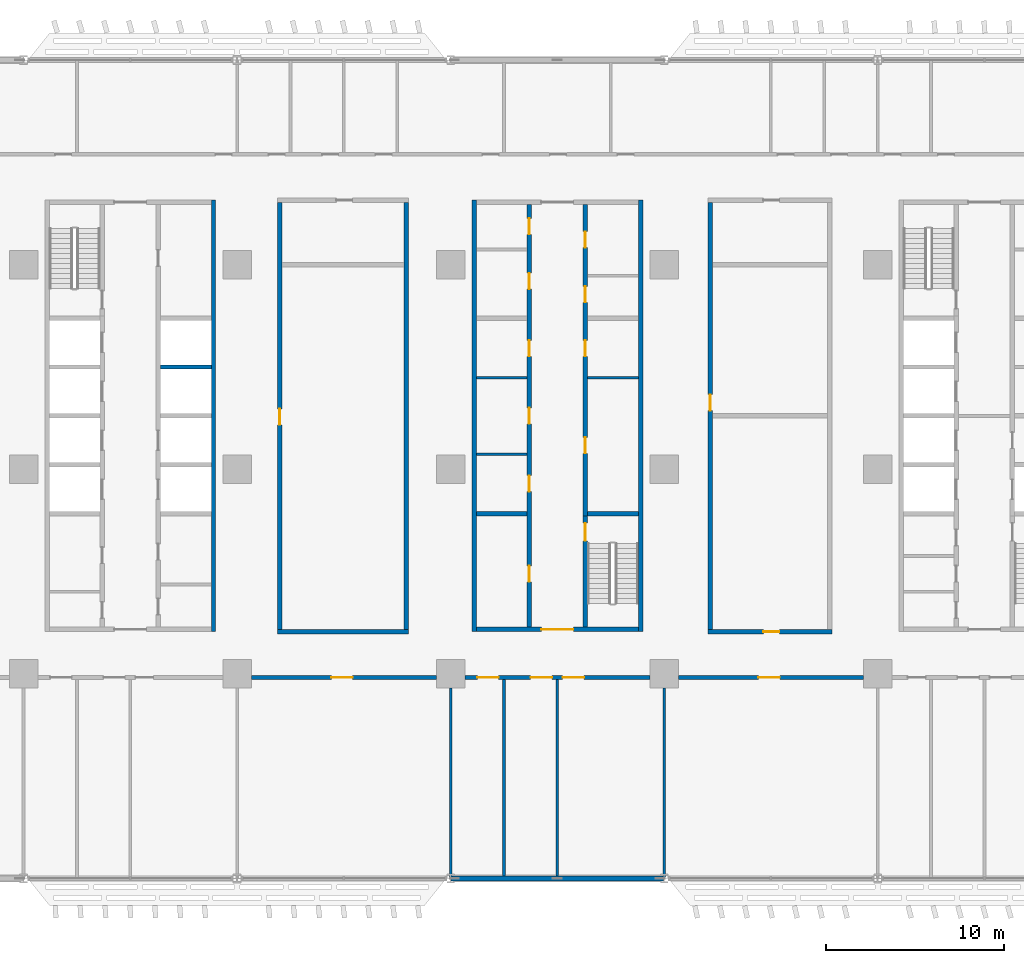
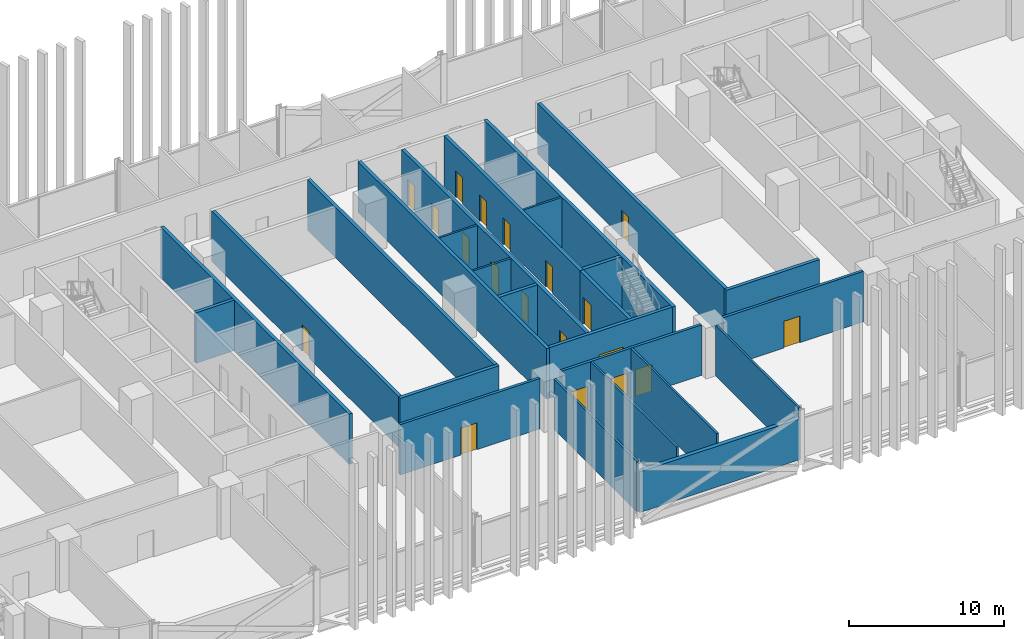
# One storey, part 11 of 29: 26 walls, 20 doors, 20 openings.
"""IFC4 building model written with IfcOpenShell, lengths in metres."""

from ifc_helpers import new_model, si_unit, direction, frame, frame_2d, origin, place, context, subcontext, project, spatial, rectangle, extrude, material, layer, layer_set, type_object, element, fill, save


model = new_model("IFC4")

# Units and contexts
model_context = context("Model", 3, precision=1e-05, world=origin(), true_north=direction((0.0, 1.0)))
body_context = subcontext(model_context, "Body", "Model", "MODEL_VIEW")
ifc_project = project(units=[si_unit("LENGTHUNIT", "METRE"), si_unit("AREAUNIT", "SQUARE_METRE"), si_unit("VOLUMEUNIT", "CUBIC_METRE"), si_unit("PLANEANGLEUNIT", "RADIAN"), si_unit("MASSUNIT", "GRAM", prefix="KILO")], contexts=[model_context])

# Site, building, storey
site_placement = place(None, origin())
site = spatial("IfcSite", under=ifc_project, at=site_placement, CompositionType="ELEMENT")
building_placement = place(site_placement, origin())
building = spatial("IfcBuilding", under=site, at=building_placement, Name="Mahtab Terrace Research Tower", CompositionType="ELEMENT")
storey_placement = place(building_placement, frame((0.0, 0.0, 24.39990234375)))
storey = spatial("IfcBuildingStorey", under=building, at=storey_placement, Name="L05", CompositionType="ELEMENT", Elevation=24.39990234375)

# Walls
ifc_material_1 = material(Name="Gypsum board partition")
ifc_layer_1 = layer(ifc_material_1, 0.14990234375)
ifc_layer_set_1 = layer_set([ifc_layer_1], Name="Core partition 150")
wall_type_1 = type_object("IfcWallType", Name="Core partition 150", PredefinedType="PARTITIONING", material=ifc_layer_set_1)
for number, where, z_axis, x_axis, name in (
    (1, (-4.550048828125, 0.85009765625, 0.0), (0.0, 0.0, 1.0), (1.0, 0.0, 0.0), "Core wall B pWL-215"),
    (2, (-4.550048828125, 5.14990234375, 0.0), (0.0, 0.0, 1.0), (1.0, 0.0, 0.0), "Core wall B pWL215"),
    (3, (1.699951171875, 5.14990234375, 0.0), (0.0, 0.0, 1.0), (1.0, 0.0, 0.0), "Core wall B pEL215"),
):
    element("IfcWall", number, at=place(storey_placement, frame(where, z_axis=z_axis, x_axis=x_axis)), inside=storey, type_object=wall_type_1, Name=name, PredefinedType="PARTITIONING", context=body_context, shape_type="SweptSolid", body=[
        extrude(rectangle(XDim=2.85009765625, YDim=0.14990234375, at=frame_2d((1.425048828125, 0.0))), origin(), (0.0, 0.0, 1.0), 3.960205078125),
    ])
ifc_material_2 = material(Name="Concrete C70/85", Category="concrete")
ifc_layer_2 = layer(ifc_material_2, 0.25)
ifc_layer_set_2 = layer_set([ifc_layer_2], Name="Core wall 250")
wall_type_2 = type_object("IfcWallType", Name="Core wall 250", PredefinedType="SOLIDWALL", material=ifc_layer_set_2)
wall_1_placement = place(storey_placement, frame((-19.324951171875, -9.125, 0.0), z_axis=(0.0, 0.0, 1.0), x_axis=(0.0, 1.0, 0.0)))
element("IfcWall", 4, at=wall_1_placement, inside=storey, type_object=wall_type_2, Name="Core wall A outerE", PredefinedType="SOLIDWALL", context=body_context, shape_type="SweptSolid", body=[
    extrude(rectangle(XDim=24.25, YDim=0.25, at=frame_2d((12.125, 0.0))), origin(), (0.0, 0.0, 1.0), 3.960205078125),
])
wall_2_placement = place(storey_placement, frame((-22.300048828125, 5.75, 0.0), z_axis=(0.0, 0.0, 1.0), x_axis=(1.0, 0.0, 0.0)))
element("IfcWall", 5, at=wall_2_placement, inside=storey, type_object=wall_type_2, Name="Core wall A divE3", PredefinedType="SOLIDWALL", context=body_context, shape_type="SweptSolid", body=[
    extrude(rectangle(XDim=2.85009765625, YDim=0.25, at=frame_2d((1.425048828125, 0.0))), origin(), (0.0, 0.0, 1.0), 3.960205078125),
])
for number, where, z_axis, x_axis, name in (
    (6, (-4.675048828125, 15.125, 0.0), (0.0, 0.0, 1.0), (0.0, -1.0, 0.0), "Core wall B outerW"),
    (7, (4.675048828125, -9.125, 0.0), (0.0, 0.0, 1.0), (0.0, 1.0, 0.0), "Core wall B outerE"),
):
    element("IfcWall", number, at=place(storey_placement, frame(where, z_axis=z_axis, x_axis=x_axis)), inside=storey, type_object=wall_type_2, Name=name, PredefinedType="SOLIDWALL", context=body_context, shape_type="SweptSolid", body=[
        extrude(rectangle(XDim=24.25, YDim=0.25, at=frame_2d((12.125, 0.0))), origin(), (0.0, 0.0, 1.0), 3.960205078125),
    ])

# Wall, opening, door
wall_3_placement = place(storey_placement, frame((4.550048828125, -9.0, 0.0), z_axis=(0.0, 0.0, 1.0), x_axis=(-1.0, 0.0, 0.0)))
wall_3 = element("IfcWall", 8, at=wall_3_placement, inside=storey, type_object=wall_type_2, Name="Core wall B endS", PredefinedType="SOLIDWALL", context=body_context, shape_type="SweptSolid", body=[
    extrude(rectangle(XDim=9.10009765625, YDim=0.25, at=frame_2d((4.550048828125, 0.0))), origin(), (0.0, 0.0, 1.0), 3.960205078125),
])
opening_1_placement = place(wall_3_placement, frame((3.64990234375, 0.0, 0.0)))
opening_1 = element("IfcOpeningElement", 9, at=opening_1_placement, cuts=wall_3, Name="Opening B-S1", PredefinedType="OPENING", context=body_context, shape_type="SweptSolid", body=[
    extrude(rectangle(XDim=1.800048828125, YDim=2.10009765625, at=frame_2d((0.89990234375, 1.050048828125))), frame((0.0, 0.135009765625, 0.0), z_axis=(0.0, -1.0, 0.0), x_axis=(1.0, 0.0, 0.0)), (0.0, 0.0, 1.0), 0.27001953125),
])
ifc_material_3 = material(Name="Steel fire door", Category="steel")
door_type_1 = type_object("IfcDoorType", Name="Lobby double door 1800x2100 1 HR", OperationType="DOUBLE_DOOR_SINGLE_SWING", PredefinedType="DOOR", material=ifc_material_3)
door_1_placement = place(opening_1_placement, origin())
door_1 = element("IfcDoor", 10, at=door_1_placement, inside=storey, type_object=door_type_1, Name="Core entrance door B S", OperationType="DOUBLE_DOOR_SINGLE_SWING", OverallHeight=2.10009765625, OverallWidth=1.800048828125, PredefinedType="DOOR", context=body_context, shape_type="SweptSolid", body=[
    extrude(rectangle(XDim=1.800048828125, YDim=2.10009765625, at=frame_2d((0.89990234375, 1.050048828125))), frame((0.0, 0.02490234375, 0.0), z_axis=(0.0, -1.0, 0.0), x_axis=(1.0, 0.0, 0.0)), (0.0, 0.0, 1.0), 0.050048828125),
])
fill(opening_1, door_1)

# Wall, openings, doors
wall_4_placement = place(storey_placement, frame((-1.574951171875, -8.875, 0.0), z_axis=(0.0, 0.0, 1.0), x_axis=(0.0, 1.0, 0.0)))
wall_4 = element("IfcWall", 11, at=wall_4_placement, inside=storey, type_object=wall_type_2, Name="Core wall B innerWSLN", PredefinedType="SOLIDWALL", context=body_context, shape_type="SweptSolid", body=[
    extrude(rectangle(XDim=23.75, YDim=0.25, at=frame_2d((11.875, 0.0))), origin(), (0.0, 0.0, 1.0), 3.960205078125),
])
opening_2_placement = place(wall_4_placement, frame((7.625, 0.0, 0.0)))
opening_2 = element("IfcOpeningElement", 12, at=opening_2_placement, cuts=wall_4, Name="Opening B-R1", PredefinedType="OPENING", context=body_context, shape_type="SweptSolid", body=[
    extrude(rectangle(XDim=0.89990234375, YDim=2.10009765625, at=frame_2d((0.449951171875, 1.050048828125))), frame((0.0, 0.135009765625, 0.0), z_axis=(0.0, -1.0, 0.0), x_axis=(1.0, 0.0, 0.0)), (0.0, 0.0, 1.0), 0.27001953125),
])
opening_3_placement = place(wall_4_placement, frame((11.425048828125, 0.0, 0.0)))
opening_3 = element("IfcOpeningElement", 13, at=opening_3_placement, cuts=wall_4, Name="Opening B-R2", PredefinedType="OPENING", context=body_context, shape_type="SweptSolid", body=[
    extrude(rectangle(XDim=0.89990234375, YDim=2.10009765625, at=frame_2d((0.449951171875, 1.050048828125))), frame((0.0, 0.135009765625, 0.0), z_axis=(0.0, -1.0, 0.0), x_axis=(1.0, 0.0, 0.0)), (0.0, 0.0, 1.0), 0.27001953125),
])
opening_4_placement = place(wall_4_placement, frame((15.22509765625, 0.0, 0.0)))
opening_4 = element("IfcOpeningElement", 14, at=opening_4_placement, cuts=wall_4, Name="Opening B-R3", PredefinedType="OPENING", context=body_context, shape_type="SweptSolid", body=[
    extrude(rectangle(XDim=0.89990234375, YDim=2.10009765625, at=frame_2d((0.449951171875, 1.050048828125))), frame((0.0, 0.135009765625, 0.0), z_axis=(0.0, -1.0, 0.0), x_axis=(1.0, 0.0, 0.0)), (0.0, 0.0, 1.0), 0.27001953125),
])
opening_5_placement = place(wall_4_placement, frame((2.550048828125, 0.0, 0.0)))
opening_5 = element("IfcOpeningElement", 15, at=opening_5_placement, cuts=wall_4, Name="Opening B-R6", PredefinedType="OPENING", context=body_context, shape_type="SweptSolid", body=[
    extrude(rectangle(XDim=0.89990234375, YDim=2.10009765625, at=frame_2d((0.449951171875, 1.050048828125))), frame((0.0, 0.135009765625, 0.0), z_axis=(0.0, -1.0, 0.0), x_axis=(1.0, 0.0, 0.0)), (0.0, 0.0, 1.0), 0.27001953125),
])
opening_6_placement = place(wall_4_placement, frame((19.00244140625, 0.0, 0.0)))
opening_6 = element("IfcOpeningElement", 16, at=opening_6_placement, cuts=wall_4, Name="Opening B-R7", PredefinedType="OPENING", context=body_context, shape_type="SweptSolid", body=[
    extrude(rectangle(XDim=0.89990234375, YDim=2.10009765625, at=frame_2d((0.449951171875, 1.050048828125))), frame((0.0, 0.135009765625, 0.0), z_axis=(0.0, -1.0, 0.0), x_axis=(1.0, 0.0, 0.0)), (0.0, 0.0, 1.0), 0.27001953125),
])
opening_7_placement = place(wall_4_placement, frame((22.077392578125, 0.0, 0.0)))
opening_7 = element("IfcOpeningElement", 17, at=opening_7_placement, cuts=wall_4, Name="Opening B-R8", PredefinedType="OPENING", context=body_context, shape_type="SweptSolid", body=[
    extrude(rectangle(XDim=0.89990234375, YDim=2.10009765625, at=frame_2d((0.449951171875, 1.050048828125))), frame((0.0, 0.135009765625, 0.0), z_axis=(0.0, -1.0, 0.0), x_axis=(1.0, 0.0, 0.0)), (0.0, 0.0, 1.0), 0.27001953125),
])
door_type_2 = type_object("IfcDoorType", Name="Room door 900x2100 1 HR", OperationType="NOTDEFINED", PredefinedType="DOOR", material=ifc_material_3)
door_2_placement = place(opening_2_placement, origin())
door_2 = element("IfcDoor", 18, at=door_2_placement, inside=storey, type_object=door_type_2, Name="Electrical room door", OperationType="SINGLE_SWING_LEFT", OverallHeight=2.10009765625, OverallWidth=0.89990234375, PredefinedType="DOOR", context=body_context, shape_type="SweptSolid", body=[
    extrude(rectangle(XDim=0.89990234375, YDim=2.10009765625, at=frame_2d((0.449951171875, 1.050048828125))), frame((0.0, 0.02490234375, 0.0), z_axis=(0.0, -1.0, 0.0), x_axis=(1.0, 0.0, 0.0)), (0.0, 0.0, 1.0), 0.050048828125),
])
fill(opening_2, door_2)
door_3_placement = place(opening_3_placement, origin())
door_3 = element("IfcDoor", 19, at=door_3_placement, inside=storey, type_object=door_type_2, Name="Pantry door", OperationType="SINGLE_SWING_RIGHT", OverallHeight=2.10009765625, OverallWidth=0.89990234375, PredefinedType="DOOR", context=body_context, shape_type="SweptSolid", body=[
    extrude(rectangle(XDim=0.89990234375, YDim=2.10009765625, at=frame_2d((0.449951171875, 1.050048828125))), frame((0.0, 0.02490234375, 0.0), z_axis=(0.0, -1.0, 0.0), x_axis=(1.0, 0.0, 0.0)), (0.0, 0.0, 1.0), 0.050048828125),
])
fill(opening_3, door_3)
door_4_placement = place(opening_4_placement, origin())
door_4 = element("IfcDoor", 20, at=door_4_placement, inside=storey, type_object=door_type_2, Name="Housekeeping store door", OperationType="SINGLE_SWING_LEFT", OverallHeight=2.10009765625, OverallWidth=0.89990234375, PredefinedType="DOOR", context=body_context, shape_type="SweptSolid", body=[
    extrude(rectangle(XDim=0.89990234375, YDim=2.10009765625, at=frame_2d((0.449951171875, 1.050048828125))), frame((0.0, 0.02490234375, 0.0), z_axis=(0.0, -1.0, 0.0), x_axis=(1.0, 0.0, 0.0)), (0.0, 0.0, 1.0), 0.050048828125),
])
fill(opening_4, door_4)
door_5_placement = place(opening_5_placement, origin())
door_5 = element("IfcDoor", 21, at=door_5_placement, inside=storey, type_object=door_type_2, Name="Gas cylinder store door", OperationType="SINGLE_SWING_RIGHT", OverallHeight=2.10009765625, OverallWidth=0.89990234375, PredefinedType="DOOR", context=body_context, shape_type="SweptSolid", body=[
    extrude(rectangle(XDim=0.89990234375, YDim=2.10009765625, at=frame_2d((0.449951171875, 1.050048828125))), frame((0.0, 0.02490234375, 0.0), z_axis=(0.0, -1.0, 0.0), x_axis=(1.0, 0.0, 0.0)), (0.0, 0.0, 1.0), 0.050048828125),
])
fill(opening_5, door_5)
door_6_placement = place(opening_6_placement, origin())
door_6 = element("IfcDoor", 22, at=door_6_placement, inside=storey, type_object=door_type_2, Name="Pantry door", OperationType="SINGLE_SWING_LEFT", OverallHeight=2.10009765625, OverallWidth=0.89990234375, PredefinedType="DOOR", context=body_context, shape_type="SweptSolid", body=[
    extrude(rectangle(XDim=0.89990234375, YDim=2.10009765625, at=frame_2d((0.449951171875, 1.050048828125))), frame((0.0, 0.02490234375, 0.0), z_axis=(0.0, -1.0, 0.0), x_axis=(1.0, 0.0, 0.0)), (0.0, 0.0, 1.0), 0.050048828125),
])
fill(opening_6, door_6)
door_7_placement = place(opening_7_placement, origin())
door_7 = element("IfcDoor", 23, at=door_7_placement, inside=storey, type_object=door_type_2, Name="Linen store door", OperationType="SINGLE_SWING_RIGHT", OverallHeight=2.10009765625, OverallWidth=0.89990234375, PredefinedType="DOOR", context=body_context, shape_type="SweptSolid", body=[
    extrude(rectangle(XDim=0.89990234375, YDim=2.10009765625, at=frame_2d((0.449951171875, 1.050048828125))), frame((0.0, 0.02490234375, 0.0), z_axis=(0.0, -1.0, 0.0), x_axis=(1.0, 0.0, 0.0)), (0.0, 0.0, 1.0), 0.050048828125),
])
fill(opening_7, door_7)

# Wall, opening, door
wall_5_placement = place(storey_placement, frame((1.574951171875, -8.875, 0.0), z_axis=(0.0, 0.0, 1.0), x_axis=(0.0, 1.0, 0.0)))
wall_5 = element("IfcWall", 24, at=wall_5_placement, inside=storey, type_object=wall_type_2, Name="Core wall B innerES", PredefinedType="SOLIDWALL", context=body_context, shape_type="SweptSolid", body=[
    extrude(rectangle(XDim=6.25, YDim=0.25, at=frame_2d((3.125, 0.0))), origin(), (0.0, 0.0, 1.0), 3.960205078125),
])
opening_8_placement = place(wall_5_placement, frame((4.85009765625, 0.0, 0.0)))
opening_8 = element("IfcOpeningElement", 25, at=opening_8_placement, cuts=wall_5, Name="Opening B-ST2", PredefinedType="OPENING", context=body_context, shape_type="SweptSolid", body=[
    extrude(rectangle(XDim=1.0, YDim=2.10009765625, at=frame_2d((0.5, 1.050048828125))), frame((0.0, 0.135009765625, 0.0), z_axis=(0.0, -1.0, 0.0), x_axis=(1.0, 0.0, 0.0)), (0.0, 0.0, 1.0), 0.27001953125),
])
door_type_3 = type_object("IfcDoorType", Name="Stair door 1000x2100 1.5 HR", OperationType="NOTDEFINED", PredefinedType="DOOR", material=ifc_material_3)
door_8_placement = place(opening_8_placement, origin())
door_8 = element("IfcDoor", 26, at=door_8_placement, inside=storey, type_object=door_type_3, Name="Stair door ST2 L05", OperationType="SINGLE_SWING_LEFT", OverallHeight=2.10009765625, OverallWidth=1.0, PredefinedType="DOOR", context=body_context, shape_type="SweptSolid", body=[
    extrude(rectangle(XDim=1.0, YDim=2.10009765625, at=frame_2d((0.5, 1.050048828125))), frame((0.0, 0.02490234375, 0.0), z_axis=(0.0, -1.0, 0.0), x_axis=(1.0, 0.0, 0.0)), (0.0, 0.0, 1.0), 0.050048828125),
])
fill(opening_8, door_8)

# Wall, openings, doors
wall_6_placement = place(storey_placement, frame((1.574951171875, 14.875, 0.0), z_axis=(0.0, 0.0, 1.0), x_axis=(0.0, -1.0, 0.0)))
wall_6 = element("IfcWall", 27, at=wall_6_placement, inside=storey, type_object=wall_type_2, Name="Core wall B innerELN", PredefinedType="SOLIDWALL", context=body_context, shape_type="SweptSolid", body=[
    extrude(rectangle(XDim=17.5, YDim=0.25, at=frame_2d((8.75, 0.0))), origin(), (0.0, 0.0, 1.0), 3.960205078125),
])
opening_9_placement = place(wall_6_placement, frame((13.074951171875, 0.0, 0.0)))
opening_9 = element("IfcOpeningElement", 28, at=opening_9_placement, cuts=wall_6, Name="Opening B-R4", PredefinedType="OPENING", context=body_context, shape_type="SweptSolid", body=[
    extrude(rectangle(XDim=0.89990234375, YDim=2.10009765625, at=frame_2d((0.449951171875, 1.050048828125))), frame((0.0, 0.135009765625, 0.0), z_axis=(0.0, -1.0, 0.0), x_axis=(1.0, 0.0, 0.0)), (0.0, 0.0, 1.0), 0.27001953125),
])
opening_10_placement = place(wall_6_placement, frame((7.625, 0.0, 0.0)))
opening_10 = element("IfcOpeningElement", 29, at=opening_10_placement, cuts=wall_6, Name="Opening B-R5", PredefinedType="OPENING", context=body_context, shape_type="SweptSolid", body=[
    extrude(rectangle(XDim=0.89990234375, YDim=2.10009765625, at=frame_2d((0.449951171875, 1.050048828125))), frame((0.0, 0.135009765625, 0.0), z_axis=(0.0, -1.0, 0.0), x_axis=(1.0, 0.0, 0.0)), (0.0, 0.0, 1.0), 0.27001953125),
])
opening_11_placement = place(wall_6_placement, frame((4.58740234375, 0.0, 0.0)))
opening_11 = element("IfcOpeningElement", 30, at=opening_11_placement, cuts=wall_6, Name="Opening B-R9", PredefinedType="OPENING", context=body_context, shape_type="SweptSolid", body=[
    extrude(rectangle(XDim=0.89990234375, YDim=2.10009765625, at=frame_2d((0.449951171875, 1.050048828125))), frame((0.0, 0.135009765625, 0.0), z_axis=(0.0, -1.0, 0.0), x_axis=(1.0, 0.0, 0.0)), (0.0, 0.0, 1.0), 0.27001953125),
])
opening_12_placement = place(wall_6_placement, frame((1.512451171875, 0.0, 0.0)))
opening_12 = element("IfcOpeningElement", 31, at=opening_12_placement, cuts=wall_6, Name="Opening B-R10", PredefinedType="OPENING", context=body_context, shape_type="SweptSolid", body=[
    extrude(rectangle(XDim=0.89990234375, YDim=2.10009765625, at=frame_2d((0.449951171875, 1.050048828125))), frame((0.0, 0.135009765625, 0.0), z_axis=(0.0, -1.0, 0.0), x_axis=(1.0, 0.0, 0.0)), (0.0, 0.0, 1.0), 0.27001953125),
])
door_9_placement = place(opening_9_placement, origin())
door_9 = element("IfcDoor", 32, at=door_9_placement, inside=storey, type_object=door_type_2, Name="Chemical store door", OperationType="SINGLE_SWING_RIGHT", OverallHeight=2.10009765625, OverallWidth=0.89990234375, PredefinedType="DOOR", context=body_context, shape_type="SweptSolid", body=[
    extrude(rectangle(XDim=0.89990234375, YDim=2.10009765625, at=frame_2d((0.449951171875, 1.050048828125))), frame((0.0, 0.02490234375, 0.0), z_axis=(0.0, -1.0, 0.0), x_axis=(1.0, 0.0, 0.0)), (0.0, 0.0, 1.0), 0.050048828125),
])
fill(opening_9, door_9)
door_10_placement = place(opening_10_placement, origin())
door_10 = element("IfcDoor", 33, at=door_10_placement, inside=storey, type_object=door_type_2, Name="Waste room door", OperationType="SINGLE_SWING_LEFT", OverallHeight=2.10009765625, OverallWidth=0.89990234375, PredefinedType="DOOR", context=body_context, shape_type="SweptSolid", body=[
    extrude(rectangle(XDim=0.89990234375, YDim=2.10009765625, at=frame_2d((0.449951171875, 1.050048828125))), frame((0.0, 0.02490234375, 0.0), z_axis=(0.0, -1.0, 0.0), x_axis=(1.0, 0.0, 0.0)), (0.0, 0.0, 1.0), 0.050048828125),
])
fill(opening_10, door_10)
door_11_placement = place(opening_11_placement, origin())
door_11 = element("IfcDoor", 34, at=door_11_placement, inside=storey, type_object=door_type_2, Name="Accessible WC door", OperationType="SINGLE_SWING_LEFT", OverallHeight=2.10009765625, OverallWidth=0.89990234375, PredefinedType="DOOR", context=body_context, shape_type="SweptSolid", body=[
    extrude(rectangle(XDim=0.89990234375, YDim=2.10009765625, at=frame_2d((0.449951171875, 1.050048828125))), frame((0.0, 0.02490234375, 0.0), z_axis=(0.0, -1.0, 0.0), x_axis=(1.0, 0.0, 0.0)), (0.0, 0.0, 1.0), 0.050048828125),
])
fill(opening_11, door_11)
door_12_placement = place(opening_12_placement, origin())
door_12 = element("IfcDoor", 35, at=door_12_placement, inside=storey, type_object=door_type_2, Name="WC block door", OperationType="SINGLE_SWING_RIGHT", OverallHeight=2.10009765625, OverallWidth=0.89990234375, PredefinedType="DOOR", context=body_context, shape_type="SweptSolid", body=[
    extrude(rectangle(XDim=0.89990234375, YDim=2.10009765625, at=frame_2d((0.449951171875, 1.050048828125))), frame((0.0, 0.02490234375, 0.0), z_axis=(0.0, -1.0, 0.0), x_axis=(1.0, 0.0, 0.0)), (0.0, 0.0, 1.0), 0.050048828125),
])
fill(opening_12, door_12)

# Walls
for number, where, z_axis, x_axis, name in (
    (36, (-4.550048828125, -2.5, 0.0), (0.0, 0.0, 1.0), (1.0, 0.0, 0.0), "Core wall B divW0"),
    (37, (1.699951171875, -2.5, 0.0), (0.0, 0.0, 1.0), (1.0, 0.0, 0.0), "Core wall B divE0"),
):
    element("IfcWall", number, at=place(storey_placement, frame(where, z_axis=z_axis, x_axis=x_axis)), inside=storey, type_object=wall_type_2, Name=name, PredefinedType="SOLIDWALL", context=body_context, shape_type="SweptSolid", body=[
        extrude(rectangle(XDim=2.85009765625, YDim=0.25, at=frame_2d((1.425048828125, 0.0))), origin(), (0.0, 0.0, 1.0), 3.960205078125),
    ])
ifc_material_4 = material(Name="Black aluminium cladding panel", Category="aluminium")
ifc_layer_3 = layer(ifc_material_4, 0.300048828125)
ifc_layer_set_3 = layer_set([ifc_layer_3], Name="Opaque facade wall 300")
wall_type_3 = type_object("IfcWallType", Name="Opaque facade wall 300", PredefinedType="NOTDEFINED", material=ifc_layer_set_3)
wall_7_placement = place(storey_placement, frame((-5.97216796875, -23.0, 0.0), z_axis=(0.0, 0.0, 1.0), x_axis=(1.0, 0.0, 0.0)))
element("IfcWall", 38, at=wall_7_placement, inside=storey, type_object=wall_type_3, Name="Opaque facade wall L05 S25", PredefinedType="NOTDEFINED", context=body_context, shape_type="SweptSolid", body=[
    extrude(rectangle(XDim=11.9443359375, YDim=0.300048828125, at=frame_2d((5.97216796875, 0.0))), origin(), (0.0, 0.0, 1.0), 3.203125),
])
ifc_material_5 = material(Name="Masonry control area wall", Category="masonry")
ifc_layer_4 = layer(ifc_material_5, 0.25)
ifc_layer_set_4 = layer_set([ifc_layer_4], Name="WALL CONTROL AREA 250")
wall_type_4 = type_object("IfcWallType", Name="WALL CONTROL AREA 250", PredefinedType="PARTITIONING", material=ifc_layer_set_4)
wall_8_placement = place(storey_placement, frame((-15.72509765625, -9.125, 0.0), z_axis=(0.0, 0.0, 1.0), x_axis=(1.0, 0.0, 0.0)))
element("IfcWall", 39, at=wall_8_placement, inside=storey, type_object=wall_type_4, Name="L05-W011", PredefinedType="PARTITIONING", context=body_context, shape_type="SweptSolid", body=[
    extrude(rectangle(XDim=7.35009765625, YDim=0.25, at=frame_2d((3.675048828125, 0.0))), origin(), (0.0, 0.0, 1.0), 3.960205078125),
])

# Wall, opening, door
wall_9_placement = place(storey_placement, frame((8.47509765625, -9.125, 0.0), z_axis=(0.0, 0.0, 1.0), x_axis=(1.0, 0.0, 0.0)))
wall_9 = element("IfcWall", 40, at=wall_9_placement, inside=storey, type_object=wall_type_4, Name="L05-W012", PredefinedType="PARTITIONING", context=body_context, shape_type="SweptSolid", body=[
    extrude(rectangle(XDim=6.949951171875, YDim=0.25, at=frame_2d((3.47509765625, 0.0))), origin(), (0.0, 0.0, 1.0), 3.960205078125),
])
opening_13_placement = place(wall_9_placement, frame((3.10009765625, 0.0, 0.0)))
opening_13 = element("IfcOpeningElement", 41, at=opening_13_placement, cuts=wall_9, Name="Opening L05-118", PredefinedType="OPENING", context=body_context, shape_type="SweptSolid", body=[
    extrude(rectangle(XDim=0.89990234375, YDim=2.10009765625, at=frame_2d((0.449951171875, 1.050048828125))), frame((0.0, 0.135009765625, 0.0), z_axis=(0.0, -1.0, 0.0), x_axis=(1.0, 0.0, 0.0)), (0.0, 0.0, 1.0), 0.27001953125),
])
ifc_material_6 = material(Name="Timber door leaf in steel frame", Category="steel")
door_type_4 = type_object("IfcDoorType", Name="DOOR 0900X2100 FD120", OperationType="SINGLE_SWING_LEFT", PredefinedType="DOOR", material=ifc_material_6)
door_13_placement = place(opening_13_placement, origin())
door_13 = element("IfcDoor", 42, at=door_13_placement, inside=storey, type_object=door_type_4, Name="Door L05-118", OperationType="SINGLE_SWING_RIGHT", OverallHeight=2.10009765625, OverallWidth=0.89990234375, PredefinedType="DOOR", context=body_context, shape_type="SweptSolid", body=[
    extrude(rectangle(XDim=0.89990234375, YDim=2.10009765625, at=frame_2d((0.449951171875, 1.050048828125))), frame((0.0, 0.02490234375, 0.0), z_axis=(0.0, -1.0, 0.0), x_axis=(1.0, 0.0, 0.0)), (0.0, 0.0, 1.0), 0.050048828125),
])
fill(opening_13, door_13)

wall_10_placement = place(storey_placement, frame((-15.60009765625, -9.0, 0.0), z_axis=(0.0, 0.0, 1.0), x_axis=(0.0, 1.0, 0.0)))
wall_10 = element("IfcWall", 43, at=wall_10_placement, inside=storey, type_object=wall_type_4, Name="L05-W040", PredefinedType="PARTITIONING", context=body_context, shape_type="SweptSolid", body=[
    extrude(rectangle(XDim=24.0, YDim=0.25, at=frame_2d((12.0, 0.0))), origin(), (0.0, 0.0, 1.0), 3.960205078125),
])
opening_14_placement = place(wall_10_placement, frame((11.5, 0.0, 0.0)))
opening_14 = element("IfcOpeningElement", 44, at=opening_14_placement, cuts=wall_10, Name="Opening L05-119", PredefinedType="OPENING", context=body_context, shape_type="SweptSolid", body=[
    extrude(rectangle(XDim=0.89990234375, YDim=2.10009765625, at=frame_2d((0.449951171875, 1.050048828125))), frame((0.0, 0.135009765625, 0.0), z_axis=(0.0, -1.0, 0.0), x_axis=(1.0, 0.0, 0.0)), (0.0, 0.0, 1.0), 0.27001953125),
])
door_14_placement = place(opening_14_placement, origin())
door_14 = element("IfcDoor", 45, at=door_14_placement, inside=storey, type_object=door_type_4, Name="Door L05-119", OperationType="SINGLE_SWING_RIGHT", OverallHeight=2.10009765625, OverallWidth=0.89990234375, PredefinedType="DOOR", context=body_context, shape_type="SweptSolid", body=[
    extrude(rectangle(XDim=0.89990234375, YDim=2.10009765625, at=frame_2d((0.449951171875, 1.050048828125))), frame((0.0, 0.02490234375, 0.0), z_axis=(0.0, -1.0, 0.0), x_axis=(1.0, 0.0, 0.0)), (0.0, 0.0, 1.0), 0.050048828125),
])
fill(opening_14, door_14)

# Wall
wall_11_placement = place(storey_placement, frame((-8.5, -9.0, 0.0), z_axis=(0.0, 0.0, 1.0), x_axis=(0.0, 1.0, 0.0)))
element("IfcWall", 46, at=wall_11_placement, inside=storey, type_object=wall_type_4, Name="L05-W044", PredefinedType="PARTITIONING", context=body_context, shape_type="SweptSolid", body=[
    extrude(rectangle(XDim=24.0, YDim=0.25, at=frame_2d((12.0, 0.0))), origin(), (0.0, 0.0, 1.0), 3.960205078125),
])

# Wall, opening, door
wall_12_placement = place(storey_placement, frame((8.60009765625, -9.0, 0.0), z_axis=(0.0, 0.0, 1.0), x_axis=(0.0, 1.0, 0.0)))
wall_12 = element("IfcWall", 47, at=wall_12_placement, inside=storey, type_object=wall_type_4, Name="L05-W051", PredefinedType="PARTITIONING", context=body_context, shape_type="SweptSolid", body=[
    extrude(rectangle(XDim=24.0, YDim=0.25, at=frame_2d((12.0, 0.0))), origin(), (0.0, 0.0, 1.0), 3.960205078125),
])
opening_15_placement = place(wall_12_placement, frame((12.300048828125, 0.0, 0.0)))
opening_15 = element("IfcOpeningElement", 48, at=opening_15_placement, cuts=wall_12, Name="Opening L05-123", PredefinedType="OPENING", context=body_context, shape_type="SweptSolid", body=[
    extrude(rectangle(XDim=0.89990234375, YDim=2.10009765625, at=frame_2d((0.449951171875, 1.050048828125))), frame((0.0, 0.135009765625, 0.0), z_axis=(0.0, -1.0, 0.0), x_axis=(1.0, 0.0, 0.0)), (0.0, 0.0, 1.0), 0.27001953125),
])
door_15_placement = place(opening_15_placement, origin())
door_15 = element("IfcDoor", 49, at=door_15_placement, inside=storey, type_object=door_type_4, Name="Door L05-123", OperationType="SINGLE_SWING_LEFT", OverallHeight=2.10009765625, OverallWidth=0.89990234375, PredefinedType="DOOR", context=body_context, shape_type="SweptSolid", body=[
    extrude(rectangle(XDim=0.89990234375, YDim=2.10009765625, at=frame_2d((0.449951171875, 1.050048828125))), frame((0.0, 0.02490234375, 0.0), z_axis=(0.0, -1.0, 0.0), x_axis=(1.0, 0.0, 0.0)), (0.0, 0.0, 1.0), 0.050048828125),
])
fill(opening_15, door_15)

ifc_material_7 = material(Name="Gypsum board corridor wall on steel studs", Category="steel")
ifc_layer_5 = layer(ifc_material_7, 0.199951171875)
ifc_layer_set_5 = layer_set([ifc_layer_5], Name="WALL CORRIDOR 200")
wall_type_5 = type_object("IfcWallType", Name="WALL CORRIDOR 200", PredefinedType="PARTITIONING", material=ifc_layer_set_5)
wall_13_placement = place(storey_placement, frame((-17.199951171875, -11.699951171875, 0.0), z_axis=(0.0, 0.0, 1.0), x_axis=(1.0, 0.0, 0.0)))
wall_13 = element("IfcWall", 50, at=wall_13_placement, inside=storey, type_object=wall_type_5, Name="L05-W004", PredefinedType="PARTITIONING", context=body_context, shape_type="SweptSolid", body=[
    extrude(rectangle(XDim=10.39990234375, YDim=0.199951171875, at=frame_2d((5.199951171875, 0.0))), origin(), (0.0, 0.0, 1.0), 3.960205078125),
])
opening_16_placement = place(wall_13_placement, frame((4.5, 0.0, 0.0)))
opening_16 = element("IfcOpeningElement", 51, at=opening_16_placement, cuts=wall_13, Name="Opening L05-106", PredefinedType="OPENING", context=body_context, shape_type="SweptSolid", body=[
    extrude(rectangle(XDim=1.199951171875, YDim=2.10009765625, at=frame_2d((0.60009765625, 1.050048828125))), frame((0.0, 0.10986328125, 0.0), z_axis=(0.0, -1.0, 0.0), x_axis=(1.0, 0.0, 0.0)), (0.0, 0.0, 1.0), 0.219970703125),
])
door_type_5 = type_object("IfcDoorType", Name="DOOR 1200X2100 FD30S", OperationType="SINGLE_SWING_LEFT", PredefinedType="DOOR", material=ifc_material_6)
door_16_placement = place(opening_16_placement, origin())
door_16 = element("IfcDoor", 52, at=door_16_placement, inside=storey, type_object=door_type_5, Name="Door L05-106", OperationType="SINGLE_SWING_RIGHT", OverallHeight=2.10009765625, OverallWidth=1.199951171875, PredefinedType="DOOR", context=body_context, shape_type="SweptSolid", body=[
    extrude(rectangle(XDim=1.199951171875, YDim=2.10009765625, at=frame_2d((0.60009765625, 1.050048828125))), frame((0.0, 0.02490234375, 0.0), z_axis=(0.0, -1.0, 0.0), x_axis=(1.0, 0.0, 0.0)), (0.0, 0.0, 1.0), 0.050048828125),
])
fill(opening_16, door_16)

# Wall, openings, doors
wall_14_placement = place(storey_placement, frame((-5.199951171875, -11.699951171875, 0.0), z_axis=(0.0, 0.0, 1.0), x_axis=(1.0, 0.0, 0.0)))
wall_14 = element("IfcWall", 53, at=wall_14_placement, inside=storey, type_object=wall_type_5, Name="L05-W005", PredefinedType="PARTITIONING", context=body_context, shape_type="SweptSolid", body=[
    extrude(rectangle(XDim=10.39990234375, YDim=0.199951171875, at=frame_2d((5.199951171875, 0.0))), origin(), (0.0, 0.0, 1.0), 3.960205078125),
])
opening_17_placement = place(wall_14_placement, frame((0.699951171875, 0.0, 0.0)))
opening_17 = element("IfcOpeningElement", 54, at=opening_17_placement, cuts=wall_14, Name="Opening L05-107", PredefinedType="OPENING", context=body_context, shape_type="SweptSolid", body=[
    extrude(rectangle(XDim=1.199951171875, YDim=2.10009765625, at=frame_2d((0.60009765625, 1.050048828125))), frame((0.0, 0.10986328125, 0.0), z_axis=(0.0, -1.0, 0.0), x_axis=(1.0, 0.0, 0.0)), (0.0, 0.0, 1.0), 0.219970703125),
])
opening_18_placement = place(wall_14_placement, frame((3.699951171875, 0.0, 0.0)))
opening_18 = element("IfcOpeningElement", 55, at=opening_18_placement, cuts=wall_14, Name="Opening L05-108", PredefinedType="OPENING", context=body_context, shape_type="SweptSolid", body=[
    extrude(rectangle(XDim=1.199951171875, YDim=2.10009765625, at=frame_2d((0.60009765625, 1.050048828125))), frame((0.0, 0.10986328125, 0.0), z_axis=(0.0, -1.0, 0.0), x_axis=(1.0, 0.0, 0.0)), (0.0, 0.0, 1.0), 0.219970703125),
])
opening_19_placement = place(wall_14_placement, frame((5.5, 0.0, 0.0)))
opening_19 = element("IfcOpeningElement", 56, at=opening_19_placement, cuts=wall_14, Name="Opening L05-109", PredefinedType="OPENING", context=body_context, shape_type="SweptSolid", body=[
    extrude(rectangle(XDim=1.199951171875, YDim=2.10009765625, at=frame_2d((0.60009765625, 1.050048828125))), frame((0.0, 0.10986328125, 0.0), z_axis=(0.0, -1.0, 0.0), x_axis=(1.0, 0.0, 0.0)), (0.0, 0.0, 1.0), 0.219970703125),
])
door_17_placement = place(opening_17_placement, origin())
door_17 = element("IfcDoor", 57, at=door_17_placement, inside=storey, type_object=door_type_5, Name="Door L05-107", OperationType="SINGLE_SWING_RIGHT", OverallHeight=2.10009765625, OverallWidth=1.199951171875, PredefinedType="DOOR", context=body_context, shape_type="SweptSolid", body=[
    extrude(rectangle(XDim=1.199951171875, YDim=2.10009765625, at=frame_2d((0.60009765625, 1.050048828125))), frame((0.0, 0.02490234375, 0.0), z_axis=(0.0, -1.0, 0.0), x_axis=(1.0, 0.0, 0.0)), (0.0, 0.0, 1.0), 0.050048828125),
])
fill(opening_17, door_17)
door_18_placement = place(opening_18_placement, origin())
door_18 = element("IfcDoor", 58, at=door_18_placement, inside=storey, type_object=door_type_5, Name="Door L05-108", OperationType="SINGLE_SWING_RIGHT", OverallHeight=2.10009765625, OverallWidth=1.199951171875, PredefinedType="DOOR", context=body_context, shape_type="SweptSolid", body=[
    extrude(rectangle(XDim=1.199951171875, YDim=2.10009765625, at=frame_2d((0.60009765625, 1.050048828125))), frame((0.0, 0.02490234375, 0.0), z_axis=(0.0, -1.0, 0.0), x_axis=(1.0, 0.0, 0.0)), (0.0, 0.0, 1.0), 0.050048828125),
])
fill(opening_18, door_18)
door_19_placement = place(opening_19_placement, origin())
door_19 = element("IfcDoor", 59, at=door_19_placement, inside=storey, type_object=door_type_5, Name="Door L05-109", OperationType="SINGLE_SWING_LEFT", OverallHeight=2.10009765625, OverallWidth=1.199951171875, PredefinedType="DOOR", context=body_context, shape_type="SweptSolid", body=[
    extrude(rectangle(XDim=1.199951171875, YDim=2.10009765625, at=frame_2d((0.60009765625, 1.050048828125))), frame((0.0, 0.02490234375, 0.0), z_axis=(0.0, -1.0, 0.0), x_axis=(1.0, 0.0, 0.0)), (0.0, 0.0, 1.0), 0.050048828125),
])
fill(opening_19, door_19)

# Wall, opening, door
wall_15_placement = place(storey_placement, frame((6.800048828125, -11.699951171875, 0.0), z_axis=(0.0, 0.0, 1.0), x_axis=(1.0, 0.0, 0.0)))
wall_15 = element("IfcWall", 60, at=wall_15_placement, inside=storey, type_object=wall_type_5, Name="L05-W006", PredefinedType="PARTITIONING", context=body_context, shape_type="SweptSolid", body=[
    extrude(rectangle(XDim=10.39990234375, YDim=0.199951171875, at=frame_2d((5.199951171875, 0.0))), origin(), (0.0, 0.0, 1.0), 3.960205078125),
])
opening_20_placement = place(wall_15_placement, frame((4.5, 0.0, 0.0)))
opening_20 = element("IfcOpeningElement", 61, at=opening_20_placement, cuts=wall_15, Name="Opening L05-110", PredefinedType="OPENING", context=body_context, shape_type="SweptSolid", body=[
    extrude(rectangle(XDim=1.199951171875, YDim=2.10009765625, at=frame_2d((0.60009765625, 1.050048828125))), frame((0.0, 0.10986328125, 0.0), z_axis=(0.0, -1.0, 0.0), x_axis=(1.0, 0.0, 0.0)), (0.0, 0.0, 1.0), 0.219970703125),
])
door_20_placement = place(opening_20_placement, origin())
door_20 = element("IfcDoor", 62, at=door_20_placement, inside=storey, type_object=door_type_5, Name="Door L05-110", OperationType="SINGLE_SWING_RIGHT", OverallHeight=2.10009765625, OverallWidth=1.199951171875, PredefinedType="DOOR", context=body_context, shape_type="SweptSolid", body=[
    extrude(rectangle(XDim=1.199951171875, YDim=2.10009765625, at=frame_2d((0.60009765625, 1.050048828125))), frame((0.0, 0.02490234375, 0.0), z_axis=(0.0, -1.0, 0.0), x_axis=(1.0, 0.0, 0.0)), (0.0, 0.0, 1.0), 0.050048828125),
])
fill(opening_20, door_20)

# Walls
ifc_material_8 = material(Name="Gypsum board partition on steel studs", Category="steel")
ifc_layer_6 = layer(ifc_material_8, 0.14990234375)
ifc_layer_set_6 = layer_set([ifc_layer_6], Name="WALL PARTITION 150")
wall_type_6 = type_object("IfcWallType", Name="WALL PARTITION 150", PredefinedType="PARTITIONING", material=ifc_layer_set_6)
wall_16_placement = place(storey_placement, frame((-6.0, -22.97509765625, 0.0), z_axis=(0.0, 0.0, 1.0), x_axis=(0.0, 1.0, 0.0)))
element("IfcWall", 63, at=wall_16_placement, inside=storey, type_object=wall_type_6, Name="L05-W045", PredefinedType="PARTITIONING", context=body_context, shape_type="SweptSolid", body=[
    extrude(rectangle(XDim=10.675048828125, YDim=0.14990234375, at=frame_2d((5.33740234375, 0.0))), origin(), (0.0, 0.0, 1.0), 3.960205078125),
])
for number, where, z_axis, x_axis, name in (
    (64, (-3.0, -22.85009765625, 0.0), (0.0, 0.0, 1.0), (0.0, 1.0, 0.0), "L05-W046"),
    (65, (0.0, -22.85009765625, 0.0), (0.0, 0.0, 1.0), (0.0, 1.0, 0.0), "L05-W048"),
):
    element("IfcWall", number, at=place(storey_placement, frame(where, z_axis=z_axis, x_axis=x_axis)), inside=storey, type_object=wall_type_6, Name=name, PredefinedType="PARTITIONING", context=body_context, shape_type="SweptSolid", body=[
        extrude(rectangle(XDim=11.050048828125, YDim=0.14990234375, at=frame_2d((5.52490234375, 0.0))), origin(), (0.0, 0.0, 1.0), 3.960205078125),
    ])
wall_17_placement = place(storey_placement, frame((6.0, -22.97509765625, 0.0), z_axis=(0.0, 0.0, 1.0), x_axis=(0.0, 1.0, 0.0)))
element("IfcWall", 66, at=wall_17_placement, inside=storey, type_object=wall_type_6, Name="L05-W050", PredefinedType="PARTITIONING", context=body_context, shape_type="SweptSolid", body=[
    extrude(rectangle(XDim=10.675048828125, YDim=0.14990234375, at=frame_2d((5.33740234375, 0.0))), origin(), (0.0, 0.0, 1.0), 3.960205078125),
])

save(model, "model.ifc")
